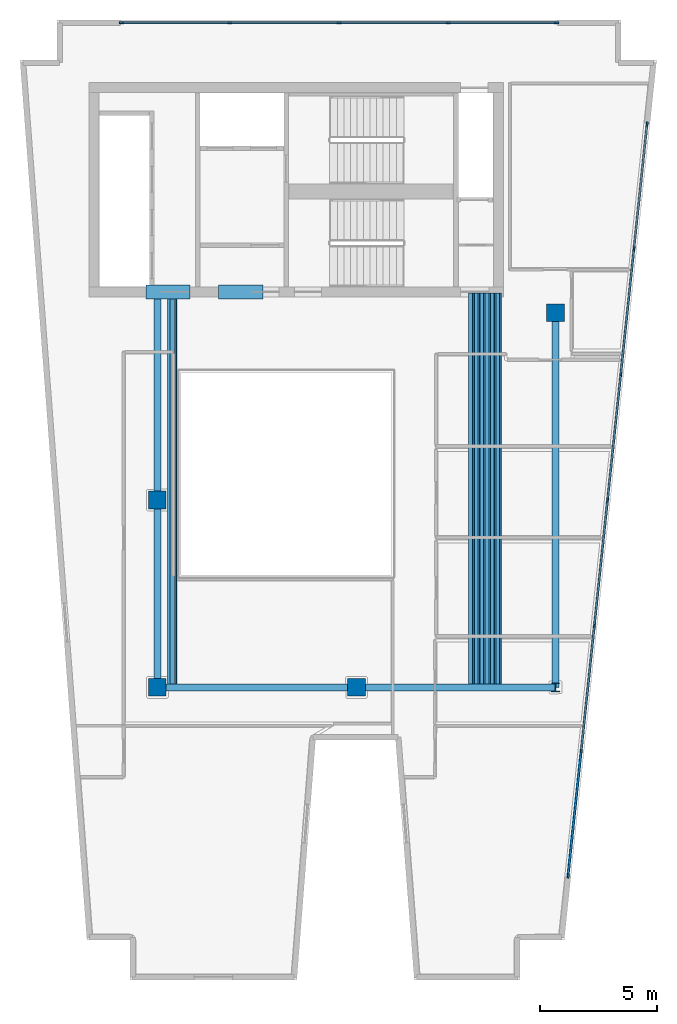
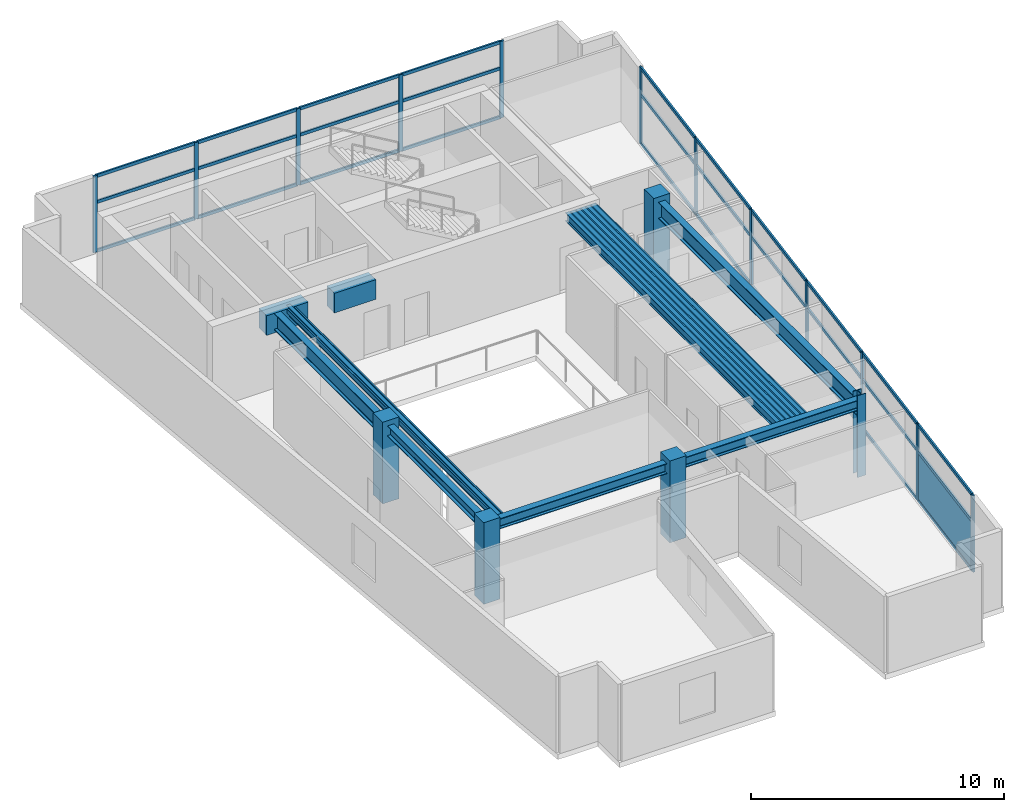
# One storey, part 1 of 6: 42 members, 22 beams, 5 columns, 1 plate, 2 elements without a shape of their own.
"""IFC4 building model written with IfcOpenShell, lengths in metres."""

import ifcopenshell
import ifcopenshell.guid

model = None  # the IFC model being written
_history = None  # IfcOwnerHistory: only IFC2X3 demands one
_inside = {}  # id of a spatial element -> (the spatial element, [elements in it])
_under = {}  # id of a project, library or spatial element -> (it, [spatial elements below it])
_declared = {}  # id of a project -> (the project, [libraries it declares])
_typed = {}  # id of a type object -> (the type object, [elements of that type])
_made_of = {}  # id of a material, layer set ... -> (it, [elements and type objects made of it])


def new_model(schema):
    """Start an empty IFC model of exactly this schema.

    Asked for "IFC4X3", IfcOpenShell would pick the latest addendum, in which some entities
    have other attributes; the version numbers below select the first issue.
    IFC2X3 requires an IfcOwnerHistory on every rooted entity: one is made here for all.
    """
    global model, _history
    if schema == "IFC4X3":
        model = ifcopenshell.file(schema_version=(4, 3, 0, 0))
    else:
        model = ifcopenshell.file(schema=schema)
    _inside.clear()
    _under.clear()
    _declared.clear()
    _typed.clear()
    _made_of.clear()
    _history = None
    if model.schema == "IFC2X3":
        org = make("IfcOrganization", Name="unknown")
        user = make(
            "IfcPersonAndOrganization",
            ThePerson=make("IfcPerson", FamilyName="unknown"),
            TheOrganization=org,
        )
        app = make(
            "IfcApplication",
            ApplicationDeveloper=org,
            Version="unknown",
            ApplicationFullName="unknown",
            ApplicationIdentifier="unknown",
        )
        _history = make(
            "IfcOwnerHistory",
            OwningUser=user,
            OwningApplication=app,
            ChangeAction="ADDED",
            CreationDate=0,
        )
    return model


def make(cls, **values):
    """One entity of the class cls with the attributes given. An attribute that is None is left unset."""
    return model.create_entity(
        cls, **{name: value for name, value in values.items() if value is not None}
    )


def rooted(cls, **values):
    """An entity with a GlobalId (a new one), such as an element, a storey or a relation."""
    return make(cls, GlobalId=ifcopenshell.guid.new(), OwnerHistory=_history, **values)


def si_unit(unit_type, name, prefix=None):
    """IfcSIUnit, for example si_unit("LENGTHUNIT", "METRE", prefix="MILLI")."""
    return make("IfcSIUnit", UnitType=unit_type, Prefix=prefix, Name=name)


def assignment(units):
    """IfcUnitAssignment: the units of a project."""
    return None if units is None else make("IfcUnitAssignment", Units=units)


def point(xyz):
    """IfcCartesianPoint."""
    return None if xyz is None else make("IfcCartesianPoint", Coordinates=xyz)


def direction(xyz):
    """IfcDirection."""
    return None if xyz is None else make("IfcDirection", DirectionRatios=xyz)


def frame(location, z_axis=None, x_axis=None):
    """IfcAxis2Placement3D, a coordinate frame: its origin and axes. An axis left out is left unset."""
    return make(
        "IfcAxis2Placement3D",
        Location=point(location),
        Axis=direction(z_axis),
        RefDirection=direction(x_axis),
    )


def frame_2d(location, x_axis=None):
    """IfcAxis2Placement2D, a coordinate frame in the plane: its origin and x axis."""
    return make(
        "IfcAxis2Placement2D", Location=point(location), RefDirection=direction(x_axis)
    )


def origin():
    """The frame at (0, 0, 0) with its axes left unset."""
    return frame((0.0, 0.0, 0.0))


def origin_2d():
    """The frame at (0, 0) in the plane with its x axis left unset."""
    return frame_2d((0.0, 0.0))


def place(relative_to, where):
    """IfcLocalPlacement: puts the frame where relative to a parent placement (None: the world)."""
    return make(
        "IfcLocalPlacement", PlacementRelTo=relative_to, RelativePlacement=where
    )


def context(
    kind, dimensions, precision=None, world=None, true_north=None, identifier=None
):
    """IfcGeometricRepresentationContext, for example the 3D "Model" context."""
    return make(
        "IfcGeometricRepresentationContext",
        ContextIdentifier=identifier,
        ContextType=kind,
        CoordinateSpaceDimension=dimensions,
        Precision=precision,
        WorldCoordinateSystem=world,
        TrueNorth=true_north,
    )


def subcontext(parent, identifier, kind, view, scale=None):
    """IfcGeometricRepresentationSubContext, for example "Body" below "Model"."""
    return make(
        "IfcGeometricRepresentationSubContext",
        ContextIdentifier=identifier,
        ContextType=kind,
        ParentContext=parent,
        TargetScale=scale,
        TargetView=view,
    )


def project(units=None, contexts=None):
    """IfcProject with its units and contexts."""
    return rooted(
        "IfcProject",
        Name="project",
        RepresentationContexts=contexts,
        UnitsInContext=assignment(units),
    )


def spatial(cls, under=None, at=None, **own):
    """A site, building, storey or space (cls), placed at a placement, below another one or the project."""
    s = rooted(cls, ObjectPlacement=at, **own)
    if under is not None:
        _under.setdefault(under.id(), (under, []))[1].append(s)
    return s


def profile(cls, at=None, kind="AREA", **sizes):
    """A parametric profile (cls). Its sizes go by their IFC names, for example OverallWidth=200.0."""
    return make(cls, ProfileType=kind, Position=at, **sizes)


def rectangle(**sizes):
    """IfcRectangleProfileDef."""
    return profile("IfcRectangleProfileDef", **sizes)


def hollow_rectangle(**sizes):
    """IfcRectangleHollowProfileDef."""
    return profile("IfcRectangleHollowProfileDef", **sizes)


def i_section(**sizes):
    """IfcIShapeProfileDef."""
    return profile("IfcIShapeProfileDef", **sizes)


def extrude(swept, where, along, depth):
    """IfcExtrudedAreaSolid: the profile swept, set in the frame where, extruded along a direction by depth."""
    return make(
        "IfcExtrudedAreaSolid",
        SweptArea=swept,
        Position=where,
        ExtrudedDirection=direction(along),
        Depth=depth,
    )


def shape(context_of_items, identifier, shape_type, items):
    """IfcShapeRepresentation: the items that make up one representation, for example the "Body"."""
    return make(
        "IfcShapeRepresentation",
        ContextOfItems=context_of_items,
        RepresentationIdentifier=identifier,
        RepresentationType=shape_type,
        Items=items,
    )


def material(Name=None, Category=None):
    """IfcMaterial."""
    return make("IfcMaterial", Name=Name, Category=Category)


def layer(
    of_material, thickness, ventilated=None, Name=None, Category=None, Priority=None
):
    """IfcMaterialLayer: one layer of a wall or slab, of a material (None: an air gap)."""
    return make(
        "IfcMaterialLayer",
        Material=of_material,
        LayerThickness=thickness,
        IsVentilated=ventilated,
        Name=Name,
        Category=Category,
        Priority=Priority,
    )


def layer_set(layers, Name=None):
    """IfcMaterialLayerSet."""
    return make("IfcMaterialLayerSet", MaterialLayers=layers, LayerSetName=Name)


def material_profile(
    of_material, cross_section, Name=None, Category=None, Priority=None
):
    """IfcMaterialProfile: a cross section and its material."""
    return make(
        "IfcMaterialProfile",
        Name=Name,
        Material=of_material,
        Profile=cross_section,
        Priority=Priority,
        Category=Category,
    )


def profile_set(profiles, Name=None, composite=None):
    """IfcMaterialProfileSet."""
    return make(
        "IfcMaterialProfileSet",
        Name=Name,
        MaterialProfiles=profiles,
        CompositeProfile=composite,
    )


def made_of(thing, what):
    """Note that an element or type object is made of a material, layer set ...; save() writes the relation."""
    if what is not None:
        _made_of.setdefault(what.id(), (what, []))[1].append(thing)
    return thing


def type_object(cls, material=None, **own):
    """A type object (cls), such as IfcWallType, which elements share."""
    return made_of(rooted(cls, **own), material)


def element(
    cls,
    number,
    at=None,
    inside=None,
    cuts=None,
    type_object=None,
    material=None,
    context=None,
    identifier="Body",
    shape_type=None,
    held_by="IfcProductDefinitionShape",
    body=None,
    shapes=None,
    **own,
):
    """One element of the class cls, such as IfcWall. Its Tag is "e" and its number.

    at: its placement. inside: the storey or other place that contains it. cuts: it is an
    opening in that element (IfcRelVoidsElement). A single representation is given by context,
    identifier, shape_type and body (its items); several are given by shapes. held_by: the class
    of the entity that holds the representations. save() writes the other relations.
    """
    e = rooted(cls, Tag="e%d" % number, ObjectPlacement=at, **own)
    if body is not None:
        shapes = [shape(context, identifier, shape_type, body)]
    if shapes is not None:
        e.Representation = make(held_by, Representations=shapes)
    if inside is not None:
        _inside.setdefault(inside.id(), (inside, []))[1].append(e)
    if cuts is not None:
        rooted(
            "IfcRelVoidsElement", RelatingBuildingElement=cuts, RelatedOpeningElement=e
        )
    if type_object is not None:
        _typed.setdefault(type_object.id(), (type_object, []))[1].append(e)
    return made_of(e, material)


def aggregate(whole, parts):
    """IfcRelAggregates: a whole, such as a stair, and the parts it consists of."""
    return rooted("IfcRelAggregates", RelatingObject=whole, RelatedObjects=parts)


def save(model, path):
    """Write the relations noted so far, then the file.

    IfcRelAggregates (storeys below a building ...), IfcRelContainedInSpatialStructure (elements
    in a storey), IfcRelDefinesByType, IfcRelAssociatesMaterial and IfcRelDeclares: one each for
    every whole, place, type object, material and project.
    """
    for whole, parts in _under.values():
        aggregate(whole, parts)
    for where, things in _inside.values():
        rooted(
            "IfcRelContainedInSpatialStructure",
            RelatedElements=things,
            RelatingStructure=where,
        )
    for kind, things in _typed.values():
        rooted("IfcRelDefinesByType", RelatedObjects=things, RelatingType=kind)
    for what, things in _made_of.values():
        rooted("IfcRelAssociatesMaterial", RelatedObjects=things, RelatingMaterial=what)
    for by, libraries in _declared.values():
        rooted("IfcRelDeclares", RelatingContext=by, RelatedDefinitions=libraries)
    model.write(path)


model = new_model("IFC4")

# Units and contexts
model_context = context("Model", 3, precision=1e-05, world=origin(), true_north=direction((0.0, 1.0)))
body_context = subcontext(model_context, "Body", "Model", "MODEL_VIEW")
ifc_project = project(units=[si_unit("LENGTHUNIT", "METRE"), si_unit("AREAUNIT", "SQUARE_METRE"), si_unit("VOLUMEUNIT", "CUBIC_METRE"), si_unit("PLANEANGLEUNIT", "RADIAN"), si_unit("MASSUNIT", "GRAM", prefix="KILO")], contexts=[model_context])

# Site, building, storey
site_placement = place(None, origin())
site = spatial("IfcSite", under=ifc_project, at=site_placement, CompositionType="ELEMENT")
building_placement = place(site_placement, origin())
building = spatial("IfcBuilding", under=site, at=building_placement, Name="Caeloran Harvest Quay", CompositionType="ELEMENT")
storey_placement = place(building_placement, frame((0.0, 0.0, 284.35009765625)))
storey = spatial("IfcBuildingStorey", under=building, at=storey_placement, Name="L68", CompositionType="ELEMENT", Elevation=284.35009765625)

# Columns
ifc_material_1 = material(Name="Concrete C60/75", Category="concrete")
ifc_material_profile_1 = material_profile(ifc_material_1, rectangle(XDim=0.75, YDim=0.75, at=origin_2d()), Name="RC 750x750")
ifc_profile_set_1 = profile_set([ifc_material_profile_1], Name="Concrete C60/75")
column_type_1 = type_object("IfcColumnType", Name="COL-MC-5-RC_750x750", PredefinedType="COLUMN", material=ifc_profile_set_1)
for number, where, z_axis, x_axis, name in (
    (1, (8.5, 15.0, 0.0), (0.0, 0.0, 1.0), (1.0, 0.0, 0.0), "L68 Structural Column (8.5, 15.0)"),
    (2, (8.5, 23.0, 0.0), (0.0, 0.0, 1.0), (1.0, 0.0, 0.0), "L68 Structural Column (8.5, 23.0)"),
    (3, (17.0, 15.0, 0.0), (0.0, 0.0, 1.0), (1.0, 0.0, 0.0), "L68 Structural Column (17.0, 15.0)"),
    (4, (25.5, 31.0, 0.0), (0.0, 0.0, 1.0), (1.0, 0.0, 0.0), "L68 Structural Column (25.5, 31.0)"),
):
    element("IfcColumn", number, at=place(storey_placement, frame(where, z_axis=z_axis, x_axis=x_axis)), inside=storey, type_object=column_type_1, Name=name, PredefinedType="COLUMN", context=body_context, shape_type="SweptSolid", body=[
        extrude(rectangle(XDim=0.75, YDim=0.75, at=origin_2d()), origin(), (0.0, 0.0, 1.0), 3.949951171875),
    ])
ifc_material_2 = material(Name="Steel S355J2", Category="steel")
ifc_material_profile_2 = material_profile(ifc_material_2, i_section(OverallWidth=0.3779296875, OverallDepth=0.386962890625, WebThickness=0.0224609375, FlangeThickness=0.03662109375, FilletRadius=0.014892578125, at=origin_2d()), Name="HD 360x262")
ifc_profile_set_2 = profile_set([ifc_material_profile_2], Name="Steel S355J2")
column_type_2 = type_object("IfcColumnType", Name="COL-SC-6-HD_360x262", PredefinedType="COLUMN", material=ifc_profile_set_2)
column_placement = place(storey_placement, frame((25.5, 15.0, 0.0), z_axis=(0.0, 0.0, 1.0), x_axis=(1.0, 0.0, 0.0)))
element("IfcColumn", 5, at=column_placement, inside=storey, type_object=column_type_2, Name="L68 Structural Column (25.5, 15.0)", PredefinedType="COLUMN", context=body_context, shape_type="SweptSolid", body=[
    extrude(i_section(OverallWidth=0.3779296875, OverallDepth=0.386962890625, WebThickness=0.0224609375, FlangeThickness=0.03662109375, FilletRadius=0.014892578125, at=origin_2d()), origin(), (0.0, 0.0, 1.0), 3.949951171875),
])

# Beams
ifc_material_profile_3 = material_profile(ifc_material_1, rectangle(XDim=0.60009765625, YDim=0.949951171875, at=origin_2d()), Name="RC 600x950")
ifc_profile_set_3 = profile_set([ifc_material_profile_3], Name="Concrete C60/75")
beam_type_1 = type_object("IfcBeamType", Name="BM-CB-2-RC_600x950", PredefinedType="LINTEL", material=ifc_profile_set_3)
for number, where, z_axis, x_axis, name in (
    (6, (8.0, 31.889892578125, 3.224853515625), (1.0, 0.0, 0.0), (0.0, 1.0, 0.0), "L68 Core Coupling Beam 1"),
    (7, (11.10009765625, 31.889892578125, 3.224853515625), (1.0, 0.0, 0.0), (0.0, 1.0, 0.0), "L68 Core Coupling Beam 2"),
):
    element("IfcBeam", number, at=place(storey_placement, frame(where, z_axis=z_axis, x_axis=x_axis)), inside=storey, type_object=beam_type_1, Name=name, PredefinedType="LINTEL", context=body_context, shape_type="SweptSolid", body=[
        extrude(rectangle(XDim=0.60009765625, YDim=0.949951171875, at=origin_2d()), origin(), (0.0, 0.0, 1.0), 1.89990234375),
    ])
ifc_material_profile_4 = material_profile(ifc_material_2, i_section(OverallWidth=0.300048828125, OverallDepth=0.800048828125, WebThickness=0.017578125, FlangeThickness=0.032958984375, FilletRadius=0.030029296875, at=origin_2d()), Name="HE 800 B")
ifc_profile_set_4 = profile_set([ifc_material_profile_4], Name="Steel S355J2")
beam_type_2 = type_object("IfcBeamType", Name="BM-PG-1-HE_800_B", PredefinedType="BEAM", material=ifc_profile_set_4)
beam_1_placement = place(storey_placement, frame((8.5, 23.0, 3.2998046875), z_axis=(0.0, 1.0, 0.0), x_axis=(-1.0, 0.0, 0.0)))
element("IfcBeam", 8, at=beam_1_placement, inside=storey, type_object=beam_type_2, Name="L68 Core South Tie Girder X=8.5", PredefinedType="BEAM", context=body_context, shape_type="SweptSolid", body=[
    extrude(i_section(OverallWidth=0.300048828125, OverallDepth=0.800048828125, WebThickness=0.017578125, FlangeThickness=0.032958984375, FilletRadius=0.030029296875, at=origin_2d()), origin(), (0.0, 0.0, 1.0), 8.840087890625),
])
beam_2_placement = place(storey_placement, frame((25.5, 15.0, 3.2998046875), z_axis=(0.0, 1.0, 0.0), x_axis=(-1.0, 0.0, 0.0)))
element("IfcBeam", 9, at=beam_2_placement, inside=storey, type_object=beam_type_2, Name="L68 Primary North-South Girder X=25.5", PredefinedType="BEAM", context=body_context, shape_type="SweptSolid", body=[
    extrude(i_section(OverallWidth=0.300048828125, OverallDepth=0.800048828125, WebThickness=0.017578125, FlangeThickness=0.032958984375, FilletRadius=0.030029296875, at=origin_2d()), origin(), (0.0, 0.0, 1.0), 16.0),
])
ifc_material_profile_5 = material_profile(ifc_material_2, i_section(OverallWidth=0.300048828125, OverallDepth=0.5, WebThickness=0.014404296875, FlangeThickness=0.028076171875, FilletRadius=0.027099609375, at=origin_2d()), Name="HE 500 B")
ifc_profile_set_5 = profile_set([ifc_material_profile_5], Name="Steel S355J2")
beam_type_3 = type_object("IfcBeamType", Name="BM-PG-4-HE_500_B", PredefinedType="BEAM", material=ifc_profile_set_5)
for number, where, z_axis, x_axis, name in (
    (10, (8.5, 15.0, 3.449951171875), (1.0, 0.0, 0.0), (0.0, 1.0, 0.0), "L68 Primary East-West Girder Y=15.0"),
    (11, (17.0, 15.0, 3.449951171875), (1.0, 0.0, 0.0), (0.0, 1.0, 0.0), "L68 Primary East-West Girder Y=15.0"),
):
    element("IfcBeam", number, at=place(storey_placement, frame(where, z_axis=z_axis, x_axis=x_axis)), inside=storey, type_object=beam_type_3, Name=name, PredefinedType="BEAM", context=body_context, shape_type="SweptSolid", body=[
        extrude(i_section(OverallWidth=0.300048828125, OverallDepth=0.5, WebThickness=0.014404296875, FlangeThickness=0.028076171875, FilletRadius=0.027099609375, at=origin_2d()), origin(), (0.0, 0.0, 1.0), 8.5),
    ])
beam_3_placement = place(storey_placement, frame((8.5, 15.0, 3.449951171875), z_axis=(0.0, 1.0, 0.0), x_axis=(-1.0, 0.0, 0.0)))
element("IfcBeam", 12, at=beam_3_placement, inside=storey, type_object=beam_type_3, Name="L68 Primary North-South Girder X=8.5", PredefinedType="BEAM", context=body_context, shape_type="SweptSolid", body=[
    extrude(i_section(OverallWidth=0.300048828125, OverallDepth=0.5, WebThickness=0.014404296875, FlangeThickness=0.028076171875, FilletRadius=0.027099609375, at=origin_2d()), origin(), (0.0, 0.0, 1.0), 8.0),
])
ifc_material_profile_6 = material_profile(ifc_material_2, i_section(OverallWidth=0.179931640625, OverallDepth=0.39990234375, WebThickness=0.008544921875, FlangeThickness=0.013427734375, FilletRadius=0.02099609375, at=origin_2d()), Name="IPE 400")
ifc_profile_set_6 = profile_set([ifc_material_profile_6], Name="Steel S355J2")
beam_type_4 = type_object("IfcBeamType", Name="BM-SB-4-IPE_400", PredefinedType="JOIST", material=ifc_profile_set_6)
for number, where, z_axis, x_axis, name in (
    (13, (9.129638671875, 15.14501953125, 3.5), (0.0, 1.0, 0.0), (-1.0, 0.0, 0.0), "L68 Secondary Composite Joist"),
    (14, (21.876708984375, 15.14501953125, 3.5), (0.0, 1.0, 0.0), (-1.0, 0.0, 0.0), "L68 Secondary Composite Joist"),
    (15, (22.10888671875, 15.14501953125, 3.5), (0.0, 1.0, 0.0), (-1.0, 0.0, 0.0), "L68 Secondary Composite Joist"),
    (16, (22.341064453125, 15.14501953125, 3.5), (0.0, 1.0, 0.0), (-1.0, 0.0, 0.0), "L68 Secondary Composite Joist"),
    (17, (22.5732421875, 15.14501953125, 3.5), (0.0, 1.0, 0.0), (-1.0, 0.0, 0.0), "L68 Secondary Composite Joist"),
    (18, (22.8056640625, 15.14501953125, 3.5), (0.0, 1.0, 0.0), (-1.0, 0.0, 0.0), "L68 Secondary Composite Joist"),
    (19, (23.037841796875, 15.14501953125, 3.5), (0.0, 1.0, 0.0), (-1.0, 0.0, 0.0), "L68 Secondary Composite Joist"),
):
    element("IfcBeam", number, at=place(storey_placement, frame(where, z_axis=z_axis, x_axis=x_axis)), inside=storey, type_object=beam_type_4, Name=name, PredefinedType="JOIST", context=body_context, shape_type="SweptSolid", body=[
        extrude(i_section(OverallWidth=0.179931640625, OverallDepth=0.39990234375, WebThickness=0.008544921875, FlangeThickness=0.013427734375, FilletRadius=0.02099609375, at=origin_2d()), origin(), (0.0, 0.0, 1.0), 16.695068359375),
    ])
ifc_material_profile_7 = material_profile(ifc_material_2, hollow_rectangle(XDim=0.080078125, YDim=0.199951171875, WallThickness=0.006103515625, InnerFilletRadius=0.006103515625, OuterFilletRadius=0.009033203125, at=origin_2d()), Name="RHS 200x80x6")
ifc_profile_set_7 = profile_set([ifc_material_profile_7], Name="Steel S355J2")
beam_type_5 = type_object("IfcBeamType", Name="BM-SB-7-RHS_200x80x6", PredefinedType="JOIST", material=ifc_profile_set_7)
for number, where, z_axis, x_axis, name in (
    (20, (8.97216796875, 15.14501953125, 3.599853515625), (0.0, 1.0, 0.0), (-1.0, 0.0, 0.0), "L68 Secondary Composite Joist"),
    (21, (9.287109375, 15.14501953125, 3.599853515625), (0.0, 1.0, 0.0), (-1.0, 0.0, 0.0), "L68 Secondary Composite Joist"),
    (22, (21.992919921875, 15.14501953125, 3.599853515625), (0.0, 1.0, 0.0), (-1.0, 0.0, 0.0), "L68 Secondary Composite Joist"),
    (23, (22.22509765625, 15.14501953125, 3.599853515625), (0.0, 1.0, 0.0), (-1.0, 0.0, 0.0), "L68 Secondary Composite Joist"),
    (24, (22.457275390625, 15.14501953125, 3.599853515625), (0.0, 1.0, 0.0), (-1.0, 0.0, 0.0), "L68 Secondary Composite Joist"),
    (25, (22.689453125, 15.14501953125, 3.599853515625), (0.0, 1.0, 0.0), (-1.0, 0.0, 0.0), "L68 Secondary Composite Joist"),
    (26, (22.921630859375, 15.14501953125, 3.599853515625), (0.0, 1.0, 0.0), (-1.0, 0.0, 0.0), "L68 Secondary Composite Joist"),
    (27, (23.15380859375, 15.14501953125, 3.599853515625), (0.0, 1.0, 0.0), (-1.0, 0.0, 0.0), "L68 Secondary Composite Joist"),
):
    element("IfcBeam", number, at=place(storey_placement, frame(where, z_axis=z_axis, x_axis=x_axis)), inside=storey, type_object=beam_type_5, Name=name, PredefinedType="JOIST", context=body_context, shape_type="SweptSolid", body=[
        extrude(hollow_rectangle(XDim=0.080078125, YDim=0.199951171875, WallThickness=0.006103515625, InnerFilletRadius=0.006103515625, OuterFilletRadius=0.009033203125, at=origin_2d()), origin(), (0.0, 0.0, 1.0), 16.695068359375),
    ])

# Curtain wall, members
ifc_material_3 = material(Name="Aluminium 6063-T6 and Low-E Glazing", Category="aluminium")
ifc_layer_1 = layer(ifc_material_3, 0.219970703125, Name="Aluminium 6063-T6 and Low-E Glazing")
ifc_layer_set_1 = layer_set([ifc_layer_1], Name="Aluminium 6063-T6 and Low-E Glazing")
curtain_wall_type = type_object("IfcCurtainWallType", Name="CW-SYS-CW-5", PredefinedType="USERDEFINED", material=ifc_layer_set_1)
curtain_wall_1_placement = place(storey_placement, origin())
curtain_wall_1 = element("IfcCurtainWall", 28, at=curtain_wall_1_placement, inside=storey, type_object=curtain_wall_type, Name="L68 Unitised Curtain Wall CW-5 Run 6", ObjectType="CURTAIN_WALL", PredefinedType="USERDEFINED")
ifc_material_4 = material(Name="Aluminium 6063-T6", Category="aluminium")
ifc_material_profile_8 = material_profile(ifc_material_4, rectangle(XDim=0.080078125, YDim=0.179931640625, at=origin_2d()), Name="CW-MULLION-180")
ifc_profile_set_8 = profile_set([ifc_material_profile_8], Name="Aluminium 6063-T6")
member_type_1 = type_object("IfcMemberType", Name="CW-MULLION-180", PredefinedType="MULLION", material=ifc_profile_set_8)
member_1_placement = place(storey_placement, frame((6.9599609375, 43.3798828125, 0.0), z_axis=(0.0, 0.0, 1.0), x_axis=(0.0, 1.0, 0.0)))
member_1 = element("IfcMember", 29, at=member_1_placement, type_object=member_type_1, Name="CW-5 mullion 1", PredefinedType="MULLION", context=body_context, shape_type="SweptSolid", body=[
    extrude(rectangle(XDim=0.080078125, YDim=0.179931640625, at=origin_2d()), origin(), (0.0, 0.0, 1.0), 3.699951171875),
])
member_2_placement = place(storey_placement, frame((11.5849609375, 43.3798828125, 0.0), z_axis=(0.0, 0.0, 1.0), x_axis=(0.0, 1.0, 0.0)))
member_2 = element("IfcMember", 30, at=member_2_placement, type_object=member_type_1, Name="CW-5 mullion 2", PredefinedType="MULLION", context=body_context, shape_type="SweptSolid", body=[
    extrude(rectangle(XDim=0.080078125, YDim=0.179931640625, at=origin_2d()), origin(), (0.0, 0.0, 1.0), 3.699951171875),
])
member_3_placement = place(storey_placement, frame((16.25, 43.3798828125, 0.0), z_axis=(0.0, 0.0, 1.0), x_axis=(0.0, 1.0, 0.0)))
member_3 = element("IfcMember", 31, at=member_3_placement, type_object=member_type_1, Name="CW-5 mullion 3", PredefinedType="MULLION", context=body_context, shape_type="SweptSolid", body=[
    extrude(rectangle(XDim=0.080078125, YDim=0.179931640625, at=origin_2d()), origin(), (0.0, 0.0, 1.0), 3.699951171875),
])
member_4_placement = place(storey_placement, frame((20.9150390625, 43.3798828125, 0.0), z_axis=(0.0, 0.0, 1.0), x_axis=(0.0, 1.0, 0.0)))
member_4 = element("IfcMember", 32, at=member_4_placement, type_object=member_type_1, Name="CW-5 mullion 4", PredefinedType="MULLION", context=body_context, shape_type="SweptSolid", body=[
    extrude(rectangle(XDim=0.080078125, YDim=0.179931640625, at=origin_2d()), origin(), (0.0, 0.0, 1.0), 3.699951171875),
])
member_5_placement = place(storey_placement, frame((25.5400390625, 43.3798828125, 0.0), z_axis=(0.0, 0.0, 1.0), x_axis=(0.0, 1.0, 0.0)))
member_5 = element("IfcMember", 33, at=member_5_placement, type_object=member_type_1, Name="CW-5 mullion 5", PredefinedType="MULLION", context=body_context, shape_type="SweptSolid", body=[
    extrude(rectangle(XDim=0.080078125, YDim=0.179931640625, at=origin_2d()), origin(), (0.0, 0.0, 1.0), 3.699951171875),
])

curtain_wall_2_placement = place(storey_placement, origin())
curtain_wall_2 = element("IfcCurtainWall", 34, at=curtain_wall_2_placement, inside=storey, type_object=curtain_wall_type, Name="L68 Unitised Curtain Wall CW-5 Run 9", ObjectType="CURTAIN_WALL", PredefinedType="USERDEFINED")
member_6_placement = place(storey_placement, frame((29.412353515625, 39.054443359375, 0.0), z_axis=(0.0, 0.0, 1.0), x_axis=(0.994529078655, -0.104460096251, 0.0)))
member_6 = element("IfcMember", 35, at=member_6_placement, type_object=member_type_1, Name="CW-5 mullion 1", PredefinedType="MULLION", context=body_context, shape_type="SweptSolid", body=[
    extrude(rectangle(XDim=0.080078125, YDim=0.179931640625, at=origin_2d()), origin(), (0.0, 0.0, 1.0), 3.699951171875),
])
member_7_placement = place(storey_placement, frame((28.85302734375, 33.7294921875, 0.0), z_axis=(0.0, 0.0, 1.0), x_axis=(0.994529078655, -0.104460096251, 0.0)))
member_7 = element("IfcMember", 36, at=member_7_placement, type_object=member_type_1, Name="CW-5 mullion 2", PredefinedType="MULLION", context=body_context, shape_type="SweptSolid", body=[
    extrude(rectangle(XDim=0.080078125, YDim=0.179931640625, at=origin_2d()), origin(), (0.0, 0.0, 1.0), 3.699951171875),
])
member_8_placement = place(storey_placement, frame((28.28955078125, 28.36474609375, 0.0), z_axis=(0.0, 0.0, 1.0), x_axis=(0.994529078655, -0.104460096251, 0.0)))
member_8 = element("IfcMember", 37, at=member_8_placement, type_object=member_type_1, Name="CW-5 mullion 3", PredefinedType="MULLION", context=body_context, shape_type="SweptSolid", body=[
    extrude(rectangle(XDim=0.080078125, YDim=0.179931640625, at=origin_2d()), origin(), (0.0, 0.0, 1.0), 3.699951171875),
])
member_9_placement = place(storey_placement, frame((27.72607421875, 23.0, 0.0), z_axis=(0.0, 0.0, 1.0), x_axis=(0.994529078655, -0.104460096251, 0.0)))
member_9 = element("IfcMember", 38, at=member_9_placement, type_object=member_type_1, Name="CW-5 mullion 4", PredefinedType="MULLION", context=body_context, shape_type="SweptSolid", body=[
    extrude(rectangle(XDim=0.080078125, YDim=0.179931640625, at=origin_2d()), origin(), (0.0, 0.0, 1.0), 3.699951171875),
])
member_10_placement = place(storey_placement, frame((27.16259765625, 17.63525390625, 0.0), z_axis=(0.0, 0.0, 1.0), x_axis=(0.994529078655, -0.104460096251, 0.0)))
member_10 = element("IfcMember", 39, at=member_10_placement, type_object=member_type_1, Name="CW-5 mullion 5", PredefinedType="MULLION", context=body_context, shape_type="SweptSolid", body=[
    extrude(rectangle(XDim=0.080078125, YDim=0.179931640625, at=origin_2d()), origin(), (0.0, 0.0, 1.0), 3.699951171875),
])
member_11_placement = place(storey_placement, frame((26.59912109375, 12.2705078125, 0.0), z_axis=(0.0, 0.0, 1.0), x_axis=(0.994529078655, -0.104460096251, 0.0)))
member_11 = element("IfcMember", 40, at=member_11_placement, type_object=member_type_1, Name="CW-5 mullion 6", PredefinedType="MULLION", context=body_context, shape_type="SweptSolid", body=[
    extrude(rectangle(XDim=0.080078125, YDim=0.179931640625, at=origin_2d()), origin(), (0.0, 0.0, 1.0), 3.699951171875),
])
member_12_placement = place(storey_placement, frame((26.039794921875, 6.945556640625, 0.0), z_axis=(0.0, 0.0, 1.0), x_axis=(0.994529078655, -0.104460096251, 0.0)))
member_12 = element("IfcMember", 41, at=member_12_placement, type_object=member_type_1, Name="CW-5 mullion 7", PredefinedType="MULLION", context=body_context, shape_type="SweptSolid", body=[
    extrude(rectangle(XDim=0.080078125, YDim=0.179931640625, at=origin_2d()), origin(), (0.0, 0.0, 1.0), 3.699951171875),
])

# Member
ifc_material_profile_9 = material_profile(ifc_material_4, rectangle(XDim=0.080078125, YDim=0.14990234375, at=origin_2d()), Name="CW-TRANSOM-150")
ifc_profile_set_9 = profile_set([ifc_material_profile_9], Name="Aluminium 6063-T6")
member_type_2 = type_object("IfcMemberType", Name="CW-TRANSOM-150", PredefinedType="USERDEFINED", material=ifc_profile_set_9)
member_13_placement = place(storey_placement, frame((7.0, 43.3798828125, 0.039794921875), z_axis=(1.0, 0.0, 0.0), x_axis=(0.0, 1.0, 0.0)))
member_13 = element("IfcMember", 42, at=member_13_placement, type_object=member_type_2, Name="CW-5 transom 1.1", ObjectType="TRANSOM", PredefinedType="USERDEFINED", context=body_context, shape_type="SweptSolid", body=[
    extrude(rectangle(XDim=0.080078125, YDim=0.14990234375, at=origin_2d()), origin(), (0.0, 0.0, 1.0), 4.544921875),
])

member_14_placement = place(storey_placement, frame((7.0, 43.3798828125, 2.39990234375), z_axis=(1.0, 0.0, 0.0), x_axis=(0.0, 1.0, 0.0)))
member_14 = element("IfcMember", 43, at=member_14_placement, type_object=member_type_2, Name="CW-5 transom 1.2", ObjectType="TRANSOM", PredefinedType="USERDEFINED", context=body_context, shape_type="SweptSolid", body=[
    extrude(rectangle(XDim=0.080078125, YDim=0.14990234375, at=origin_2d()), origin(), (0.0, 0.0, 1.0), 4.544921875),
])

member_15_placement = place(storey_placement, frame((7.0, 43.3798828125, 3.659912109375), z_axis=(1.0, 0.0, 0.0), x_axis=(0.0, 1.0, 0.0)))
member_15 = element("IfcMember", 44, at=member_15_placement, type_object=member_type_2, Name="CW-5 transom 1.3", ObjectType="TRANSOM", PredefinedType="USERDEFINED", context=body_context, shape_type="SweptSolid", body=[
    extrude(rectangle(XDim=0.080078125, YDim=0.14990234375, at=origin_2d()), origin(), (0.0, 0.0, 1.0), 4.544921875),
])

member_16_placement = place(storey_placement, frame((11.625, 43.3798828125, 0.039794921875), z_axis=(1.0, 0.0, 0.0), x_axis=(0.0, 1.0, 0.0)))
member_16 = element("IfcMember", 45, at=member_16_placement, type_object=member_type_2, Name="CW-5 transom 2.1", ObjectType="TRANSOM", PredefinedType="USERDEFINED", context=body_context, shape_type="SweptSolid", body=[
    extrude(rectangle(XDim=0.080078125, YDim=0.14990234375, at=origin_2d()), origin(), (0.0, 0.0, 1.0), 4.5849609375),
])

member_17_placement = place(storey_placement, frame((11.625, 43.3798828125, 2.39990234375), z_axis=(1.0, 0.0, 0.0), x_axis=(0.0, 1.0, 0.0)))
member_17 = element("IfcMember", 46, at=member_17_placement, type_object=member_type_2, Name="CW-5 transom 2.2", ObjectType="TRANSOM", PredefinedType="USERDEFINED", context=body_context, shape_type="SweptSolid", body=[
    extrude(rectangle(XDim=0.080078125, YDim=0.14990234375, at=origin_2d()), origin(), (0.0, 0.0, 1.0), 4.5849609375),
])

member_18_placement = place(storey_placement, frame((11.625, 43.3798828125, 3.659912109375), z_axis=(1.0, 0.0, 0.0), x_axis=(0.0, 1.0, 0.0)))
member_18 = element("IfcMember", 47, at=member_18_placement, type_object=member_type_2, Name="CW-5 transom 2.3", ObjectType="TRANSOM", PredefinedType="USERDEFINED", context=body_context, shape_type="SweptSolid", body=[
    extrude(rectangle(XDim=0.080078125, YDim=0.14990234375, at=origin_2d()), origin(), (0.0, 0.0, 1.0), 4.5849609375),
])

member_19_placement = place(storey_placement, frame((16.2900390625, 43.3798828125, 0.039794921875), z_axis=(1.0, 0.0, 0.0), x_axis=(0.0, 1.0, 0.0)))
member_19 = element("IfcMember", 48, at=member_19_placement, type_object=member_type_2, Name="CW-5 transom 3.1", ObjectType="TRANSOM", PredefinedType="USERDEFINED", context=body_context, shape_type="SweptSolid", body=[
    extrude(rectangle(XDim=0.080078125, YDim=0.14990234375, at=origin_2d()), origin(), (0.0, 0.0, 1.0), 4.5849609375),
])

member_20_placement = place(storey_placement, frame((16.2900390625, 43.3798828125, 2.39990234375), z_axis=(1.0, 0.0, 0.0), x_axis=(0.0, 1.0, 0.0)))
member_20 = element("IfcMember", 49, at=member_20_placement, type_object=member_type_2, Name="CW-5 transom 3.2", ObjectType="TRANSOM", PredefinedType="USERDEFINED", context=body_context, shape_type="SweptSolid", body=[
    extrude(rectangle(XDim=0.080078125, YDim=0.14990234375, at=origin_2d()), origin(), (0.0, 0.0, 1.0), 4.5849609375),
])

member_21_placement = place(storey_placement, frame((16.2900390625, 43.3798828125, 3.659912109375), z_axis=(1.0, 0.0, 0.0), x_axis=(0.0, 1.0, 0.0)))
member_21 = element("IfcMember", 50, at=member_21_placement, type_object=member_type_2, Name="CW-5 transom 3.3", ObjectType="TRANSOM", PredefinedType="USERDEFINED", context=body_context, shape_type="SweptSolid", body=[
    extrude(rectangle(XDim=0.080078125, YDim=0.14990234375, at=origin_2d()), origin(), (0.0, 0.0, 1.0), 4.5849609375),
])

member_22_placement = place(storey_placement, frame((20.955078125, 43.3798828125, 0.039794921875), z_axis=(1.0, 0.0, 0.0), x_axis=(0.0, 1.0, 0.0)))
member_22 = element("IfcMember", 51, at=member_22_placement, type_object=member_type_2, Name="CW-5 transom 4.1", ObjectType="TRANSOM", PredefinedType="USERDEFINED", context=body_context, shape_type="SweptSolid", body=[
    extrude(rectangle(XDim=0.080078125, YDim=0.14990234375, at=origin_2d()), origin(), (0.0, 0.0, 1.0), 4.544921875),
])

member_23_placement = place(storey_placement, frame((20.955078125, 43.3798828125, 2.39990234375), z_axis=(1.0, 0.0, 0.0), x_axis=(0.0, 1.0, 0.0)))
member_23 = element("IfcMember", 52, at=member_23_placement, type_object=member_type_2, Name="CW-5 transom 4.2", ObjectType="TRANSOM", PredefinedType="USERDEFINED", context=body_context, shape_type="SweptSolid", body=[
    extrude(rectangle(XDim=0.080078125, YDim=0.14990234375, at=origin_2d()), origin(), (0.0, 0.0, 1.0), 4.544921875),
])

member_24_placement = place(storey_placement, frame((20.955078125, 43.3798828125, 3.659912109375), z_axis=(1.0, 0.0, 0.0), x_axis=(0.0, 1.0, 0.0)))
member_24 = element("IfcMember", 53, at=member_24_placement, type_object=member_type_2, Name="CW-5 transom 4.3", ObjectType="TRANSOM", PredefinedType="USERDEFINED", context=body_context, shape_type="SweptSolid", body=[
    extrude(rectangle(XDim=0.080078125, YDim=0.14990234375, at=origin_2d()), origin(), (0.0, 0.0, 1.0), 4.544921875),
])

aggregate(curtain_wall_1, [member_1, member_2, member_3, member_4, member_5, member_13, member_14, member_15, member_16, member_17, member_18, member_19, member_20, member_21, member_22, member_23, member_24])

member_25_placement = place(storey_placement, frame((29.408203125, 39.0146484375, 0.039794921875), z_axis=(-0.104475148335, -0.994527497549, 0.0), x_axis=(0.994527497549, -0.104475148335, 0.0)))
member_25 = element("IfcMember", 54, at=member_25_placement, type_object=member_type_2, Name="CW-5 transom 1.1", ObjectType="TRANSOM", PredefinedType="USERDEFINED", context=body_context, shape_type="SweptSolid", body=[
    extrude(rectangle(XDim=0.080078125, YDim=0.14990234375, at=origin_2d()), origin(), (0.0, 0.0, 1.0), 5.274169921875),
])

member_26_placement = place(storey_placement, frame((29.408203125, 39.0146484375, 2.39990234375), z_axis=(-0.104475148335, -0.994527497549, 0.0), x_axis=(0.994527497549, -0.104475148335, 0.0)))
member_26 = element("IfcMember", 55, at=member_26_placement, type_object=member_type_2, Name="CW-5 transom 1.2", ObjectType="TRANSOM", PredefinedType="USERDEFINED", context=body_context, shape_type="SweptSolid", body=[
    extrude(rectangle(XDim=0.080078125, YDim=0.14990234375, at=origin_2d()), origin(), (0.0, 0.0, 1.0), 5.274169921875),
])

member_27_placement = place(storey_placement, frame((29.408203125, 39.0146484375, 3.659912109375), z_axis=(-0.104475148335, -0.994527497549, 0.0), x_axis=(0.994527497549, -0.104475148335, 0.0)))
member_27 = element("IfcMember", 56, at=member_27_placement, type_object=member_type_2, Name="CW-5 transom 1.3", ObjectType="TRANSOM", PredefinedType="USERDEFINED", context=body_context, shape_type="SweptSolid", body=[
    extrude(rectangle(XDim=0.080078125, YDim=0.14990234375, at=origin_2d()), origin(), (0.0, 0.0, 1.0), 5.274169921875),
])

member_28_placement = place(storey_placement, frame((28.848876953125, 33.689697265625, 0.039794921875), z_axis=(-0.104469552209, -0.994528085406, 0.0), x_axis=(0.994528085406, -0.104469552209, 0.0)))
member_28 = element("IfcMember", 57, at=member_28_placement, type_object=member_type_2, Name="CW-5 transom 2.1", ObjectType="TRANSOM", PredefinedType="USERDEFINED", context=body_context, shape_type="SweptSolid", body=[
    extrude(rectangle(XDim=0.080078125, YDim=0.14990234375, at=origin_2d()), origin(), (0.0, 0.0, 1.0), 5.314208984375),
])

member_29_placement = place(storey_placement, frame((28.848876953125, 33.689697265625, 2.39990234375), z_axis=(-0.104469552209, -0.994528085406, 0.0), x_axis=(0.994528085406, -0.104469552209, 0.0)))
member_29 = element("IfcMember", 58, at=member_29_placement, type_object=member_type_2, Name="CW-5 transom 2.2", ObjectType="TRANSOM", PredefinedType="USERDEFINED", context=body_context, shape_type="SweptSolid", body=[
    extrude(rectangle(XDim=0.080078125, YDim=0.14990234375, at=origin_2d()), origin(), (0.0, 0.0, 1.0), 5.314208984375),
])

member_30_placement = place(storey_placement, frame((28.848876953125, 33.689697265625, 3.659912109375), z_axis=(-0.104469552209, -0.994528085406, 0.0), x_axis=(0.994528085406, -0.104469552209, 0.0)))
member_30 = element("IfcMember", 59, at=member_30_placement, type_object=member_type_2, Name="CW-5 transom 2.3", ObjectType="TRANSOM", PredefinedType="USERDEFINED", context=body_context, shape_type="SweptSolid", body=[
    extrude(rectangle(XDim=0.080078125, YDim=0.14990234375, at=origin_2d()), origin(), (0.0, 0.0, 1.0), 5.314208984375),
])

member_31_placement = place(storey_placement, frame((28.285400390625, 28.324951171875, 0.039794921875), z_axis=(-0.104469552209, -0.994528085406, 0.0), x_axis=(0.994528085406, -0.104469552209, 0.0)))
member_31 = element("IfcMember", 60, at=member_31_placement, type_object=member_type_2, Name="CW-5 transom 3.1", ObjectType="TRANSOM", PredefinedType="USERDEFINED", context=body_context, shape_type="SweptSolid", body=[
    extrude(rectangle(XDim=0.080078125, YDim=0.14990234375, at=origin_2d()), origin(), (0.0, 0.0, 1.0), 5.314208984375),
])

member_32_placement = place(storey_placement, frame((28.285400390625, 28.324951171875, 2.39990234375), z_axis=(-0.104469552209, -0.994528085406, 0.0), x_axis=(0.994528085406, -0.104469552209, 0.0)))
member_32 = element("IfcMember", 61, at=member_32_placement, type_object=member_type_2, Name="CW-5 transom 3.2", ObjectType="TRANSOM", PredefinedType="USERDEFINED", context=body_context, shape_type="SweptSolid", body=[
    extrude(rectangle(XDim=0.080078125, YDim=0.14990234375, at=origin_2d()), origin(), (0.0, 0.0, 1.0), 5.314208984375),
])

member_33_placement = place(storey_placement, frame((28.285400390625, 28.324951171875, 3.659912109375), z_axis=(-0.104469552209, -0.994528085406, 0.0), x_axis=(0.994528085406, -0.104469552209, 0.0)))
member_33 = element("IfcMember", 62, at=member_33_placement, type_object=member_type_2, Name="CW-5 transom 3.3", ObjectType="TRANSOM", PredefinedType="USERDEFINED", context=body_context, shape_type="SweptSolid", body=[
    extrude(rectangle(XDim=0.080078125, YDim=0.14990234375, at=origin_2d()), origin(), (0.0, 0.0, 1.0), 5.314208984375),
])

member_34_placement = place(storey_placement, frame((27.721923828125, 22.960205078125, 0.039794921875), z_axis=(-0.104469552209, -0.994528085406, 0.0), x_axis=(0.994528085406, -0.104469552209, 0.0)))
member_34 = element("IfcMember", 63, at=member_34_placement, type_object=member_type_2, Name="CW-5 transom 4.1", ObjectType="TRANSOM", PredefinedType="USERDEFINED", context=body_context, shape_type="SweptSolid", body=[
    extrude(rectangle(XDim=0.080078125, YDim=0.14990234375, at=origin_2d()), origin(), (0.0, 0.0, 1.0), 5.314208984375),
])

member_35_placement = place(storey_placement, frame((27.721923828125, 22.960205078125, 2.39990234375), z_axis=(-0.104469552209, -0.994528085406, 0.0), x_axis=(0.994528085406, -0.104469552209, 0.0)))
member_35 = element("IfcMember", 64, at=member_35_placement, type_object=member_type_2, Name="CW-5 transom 4.2", ObjectType="TRANSOM", PredefinedType="USERDEFINED", context=body_context, shape_type="SweptSolid", body=[
    extrude(rectangle(XDim=0.080078125, YDim=0.14990234375, at=origin_2d()), origin(), (0.0, 0.0, 1.0), 5.314208984375),
])

member_36_placement = place(storey_placement, frame((27.721923828125, 22.960205078125, 3.659912109375), z_axis=(-0.104469552209, -0.994528085406, 0.0), x_axis=(0.994528085406, -0.104469552209, 0.0)))
member_36 = element("IfcMember", 65, at=member_36_placement, type_object=member_type_2, Name="CW-5 transom 4.3", ObjectType="TRANSOM", PredefinedType="USERDEFINED", context=body_context, shape_type="SweptSolid", body=[
    extrude(rectangle(XDim=0.080078125, YDim=0.14990234375, at=origin_2d()), origin(), (0.0, 0.0, 1.0), 5.314208984375),
])

member_37_placement = place(storey_placement, frame((27.158447265625, 17.595458984375, 0.039794921875), z_axis=(-0.104469552209, -0.994528085406, 0.0), x_axis=(0.994528085406, -0.104469552209, 0.0)))
member_37 = element("IfcMember", 66, at=member_37_placement, type_object=member_type_2, Name="CW-5 transom 5.1", ObjectType="TRANSOM", PredefinedType="USERDEFINED", context=body_context, shape_type="SweptSolid", body=[
    extrude(rectangle(XDim=0.080078125, YDim=0.14990234375, at=origin_2d()), origin(), (0.0, 0.0, 1.0), 5.314208984375),
])

member_38_placement = place(storey_placement, frame((27.158447265625, 17.595458984375, 2.39990234375), z_axis=(-0.104469552209, -0.994528085406, 0.0), x_axis=(0.994528085406, -0.104469552209, 0.0)))
member_38 = element("IfcMember", 67, at=member_38_placement, type_object=member_type_2, Name="CW-5 transom 5.2", ObjectType="TRANSOM", PredefinedType="USERDEFINED", context=body_context, shape_type="SweptSolid", body=[
    extrude(rectangle(XDim=0.080078125, YDim=0.14990234375, at=origin_2d()), origin(), (0.0, 0.0, 1.0), 5.314208984375),
])

member_39_placement = place(storey_placement, frame((27.158447265625, 17.595458984375, 3.659912109375), z_axis=(-0.104469552209, -0.994528085406, 0.0), x_axis=(0.994528085406, -0.104469552209, 0.0)))
member_39 = element("IfcMember", 68, at=member_39_placement, type_object=member_type_2, Name="CW-5 transom 5.3", ObjectType="TRANSOM", PredefinedType="USERDEFINED", context=body_context, shape_type="SweptSolid", body=[
    extrude(rectangle(XDim=0.080078125, YDim=0.14990234375, at=origin_2d()), origin(), (0.0, 0.0, 1.0), 5.314208984375),
])

member_40_placement = place(storey_placement, frame((26.594970703125, 12.230712890625, 0.039794921875), z_axis=(-0.104475148335, -0.994527497549, 0.0), x_axis=(0.994527497549, -0.104475148335, 0.0)))
member_40 = element("IfcMember", 69, at=member_40_placement, type_object=member_type_2, Name="CW-5 transom 6.1", ObjectType="TRANSOM", PredefinedType="USERDEFINED", context=body_context, shape_type="SweptSolid", body=[
    extrude(rectangle(XDim=0.080078125, YDim=0.14990234375, at=origin_2d()), origin(), (0.0, 0.0, 1.0), 5.274169921875),
])

member_41_placement = place(storey_placement, frame((26.594970703125, 12.230712890625, 2.39990234375), z_axis=(-0.104475148335, -0.994527497549, 0.0), x_axis=(0.994527497549, -0.104475148335, 0.0)))
member_41 = element("IfcMember", 70, at=member_41_placement, type_object=member_type_2, Name="CW-5 transom 6.2", ObjectType="TRANSOM", PredefinedType="USERDEFINED", context=body_context, shape_type="SweptSolid", body=[
    extrude(rectangle(XDim=0.080078125, YDim=0.14990234375, at=origin_2d()), origin(), (0.0, 0.0, 1.0), 5.274169921875),
])

member_42_placement = place(storey_placement, frame((26.594970703125, 12.230712890625, 3.659912109375), z_axis=(-0.104475148335, -0.994527497549, 0.0), x_axis=(0.994527497549, -0.104475148335, 0.0)))
member_42 = element("IfcMember", 71, at=member_42_placement, type_object=member_type_2, Name="CW-5 transom 6.3", ObjectType="TRANSOM", PredefinedType="USERDEFINED", context=body_context, shape_type="SweptSolid", body=[
    extrude(rectangle(XDim=0.080078125, YDim=0.14990234375, at=origin_2d()), origin(), (0.0, 0.0, 1.0), 5.274169921875),
])

# Plate
ifc_material_5 = material(Name="Low-E Double Glazed Vision Glass Unit", Category="glass")
ifc_layer_2 = layer(ifc_material_5, 0.035888671875, Name="Low-E Double Glazed Vision Glass Unit")
ifc_layer_set_2 = layer_set([ifc_layer_2], Name="Low-E Double Glazed Vision Glass Unit")
plate_type = type_object("IfcPlateType", Name="CW-VISION-PANEL", PredefinedType="CURTAIN_PANEL", material=ifc_layer_set_2)
plate_placement = place(storey_placement, frame((26.3193359375, 9.608154296875, 0.080078125), z_axis=(0.0, 0.0, 1.0), x_axis=(-0.104460096251, -0.994529078655, 0.0)))
plate = element("IfcPlate", 72, at=plate_placement, type_object=plate_type, Name="CW-5 panel 6.1", PredefinedType="CURTAIN_PANEL", context=body_context, shape_type="SweptSolid", body=[
    extrude(rectangle(XDim=5.274169921875, YDim=0.035888671875, at=origin_2d()), origin(), (0.0, 0.0, 1.0), 2.280029296875),
])

aggregate(curtain_wall_2, [member_6, member_7, member_8, member_9, member_10, member_11, member_12, member_25, member_26, member_27, member_28, member_29, member_30, member_31, member_32, member_33, member_34, member_35, member_36, member_37, member_38, member_39, member_40, member_41, member_42, plate])

save(model, "model.ifc")
